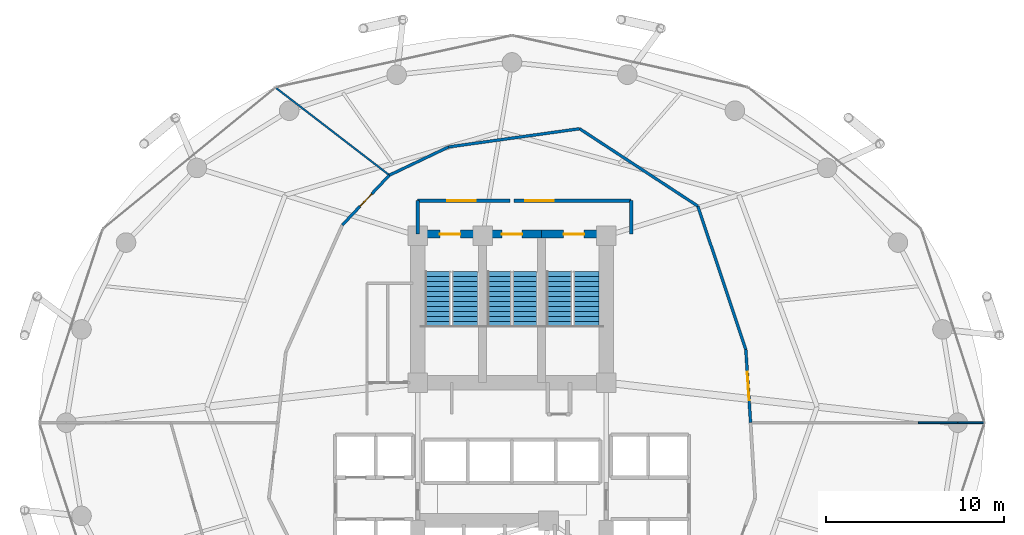
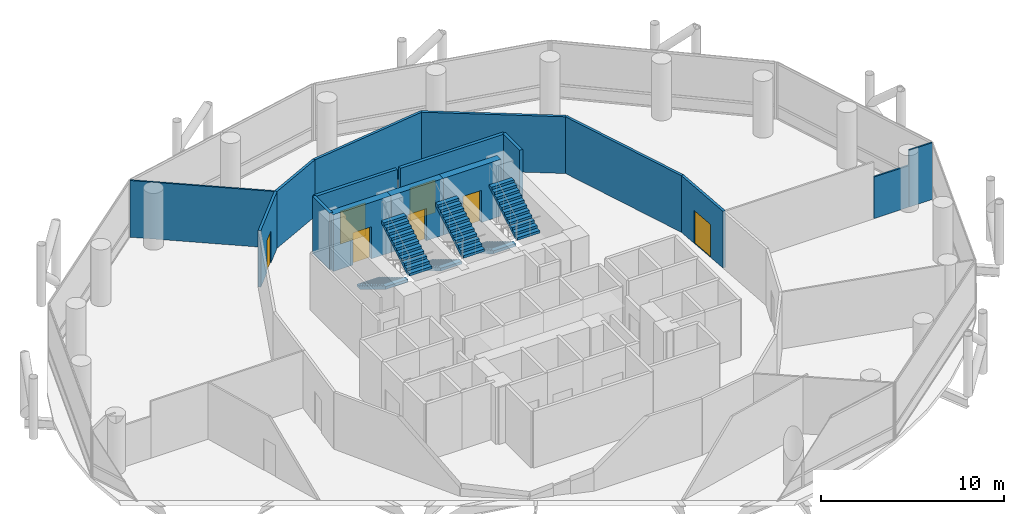
# One storey, part 23 of 24: 16 walls, 7 doors, 6 stair flights, 7 openings, 3 elements without a shape of their own.
"""IFC4 building model written with IfcOpenShell, lengths in metres."""

from ifc_helpers import new_model, si_unit, direction, frame, frame_2d, origin, place, context, subcontext, project, spatial, polyline, rectangle, outline, extrude, material, layer, layer_set, type_object, element, fill, aggregate, save


model = new_model("IFC4")

# Units and contexts
model_context = context("Model", 3, precision=1e-05, world=origin(), true_north=direction((0.0, 1.0)))
body_context = subcontext(model_context, "Body", "Model", "MODEL_VIEW")
ifc_project = project(units=[si_unit("LENGTHUNIT", "METRE"), si_unit("AREAUNIT", "SQUARE_METRE"), si_unit("VOLUMEUNIT", "CUBIC_METRE"), si_unit("PLANEANGLEUNIT", "RADIAN"), si_unit("MASSUNIT", "GRAM", prefix="KILO")], contexts=[model_context])

# Site, building, storey
site_placement = place(None, origin())
site = spatial("IfcSite", under=ifc_project, at=site_placement, CompositionType="ELEMENT")
building_placement = place(site_placement, origin())
building = spatial("IfcBuilding", under=site, at=building_placement, Name="Nuhasar Tower", CompositionType="ELEMENT")
storey_placement = place(building_placement, frame((0.0, 0.0, 33.14990234375)))
storey = spatial("IfcBuildingStorey", under=building, at=storey_placement, Name="L07", CompositionType="ELEMENT", Elevation=33.14990234375)

# Wall, opening, door
ifc_material_1 = material(Name="Concrete C50/60", Category="concrete")
ifc_layer_1 = layer(ifc_material_1, 0.449951171875)
ifc_layer_set_1 = layer_set([ifc_layer_1], Name="Concrete C50/60")
wall_type_1 = type_object("IfcWallType", Name="WL-CORE-450", PredefinedType="SHEAR", material=ifc_layer_set_1)
wall_1_placement = place(storey_placement, frame((37.35009765625, 37.39990234375, 0.0), z_axis=(0.0, 0.0, 1.0), x_axis=(-1.0, 0.0, 0.0)))
wall_1 = element("IfcWall", 1, at=wall_1_placement, inside=storey, type_object=wall_type_1, Name="L07 Stairwell Shear Wall ST01-N", PredefinedType="SHEAR", context=body_context, shape_type="SweptSolid", body=[
    extrude(rectangle(XDim=3.650146484375, YDim=0.449951171875, at=frame_2d((1.8251953125, 0.0))), origin(), (0.0, 0.0, 1.0), 3.7900390625),
])
opening_1_placement = place(wall_1_placement, frame((1.25, 0.0, 0.0)))
opening_1 = element("IfcOpeningElement", 2, at=opening_1_placement, cuts=wall_1, Name="Opening DS-01", PredefinedType="OPENING", context=body_context, shape_type="SweptSolid", body=[
    extrude(rectangle(XDim=1.14990234375, YDim=2.14990234375, at=frame_2d((0.574951171875, 1.074951171875))), frame((0.0, 0.23486328125, 0.0), z_axis=(0.0, -1.0, 0.0), x_axis=(1.0, 0.0, 0.0)), (0.0, 0.0, 1.0), 0.469970703125),
])
ifc_material_2 = material(Name="Steel S355", Category="steel")
door_type_1 = type_object("IfcDoorType", Name="DR-STAIR-FD120-1150", OperationType="NOTDEFINED", PredefinedType="DOOR", material=ifc_material_2)
door_1_placement = place(opening_1_placement, origin())
door_1 = element("IfcDoor", 3, at=door_1_placement, inside=storey, type_object=door_type_1, Name="L07 Exit Stair ST-01 Door", OperationType="SINGLE_SWING_RIGHT", OverallHeight=2.14990234375, OverallWidth=1.14990234375, PredefinedType="DOOR", context=body_context, shape_type="SweptSolid", body=[
    extrude(rectangle(XDim=1.14990234375, YDim=2.14990234375, at=frame_2d((0.574951171875, 1.074951171875))), frame((0.0, 0.02490234375, 0.0), z_axis=(0.0, -1.0, 0.0), x_axis=(1.0, 0.0, 0.0)), (0.0, 0.0, 1.0), 0.050048828125),
])
fill(opening_1, door_1)

wall_2_placement = place(storey_placement, frame((40.64990234375, 37.39990234375, 0.0), z_axis=(0.0, 0.0, 1.0), x_axis=(-1.0, 0.0, 0.0)))
wall_2 = element("IfcWall", 4, at=wall_2_placement, inside=storey, type_object=wall_type_1, Name="L07 Stairwell Shear Wall ST03-N", PredefinedType="SHEAR", context=body_context, shape_type="SweptSolid", body=[
    extrude(rectangle(XDim=3.2998046875, YDim=0.449951171875, at=frame_2d((1.64990234375, 0.0))), origin(), (0.0, 0.0, 1.0), 3.7900390625),
])
opening_2_placement = place(wall_2_placement, frame((1.074951171875, 0.0, 0.0)))
opening_2 = element("IfcOpeningElement", 5, at=opening_2_placement, cuts=wall_2, Name="Opening DS-01", PredefinedType="OPENING", context=body_context, shape_type="SweptSolid", body=[
    extrude(rectangle(XDim=1.14990234375, YDim=2.14990234375, at=frame_2d((0.574951171875, 1.074951171875))), frame((0.0, 0.23486328125, 0.0), z_axis=(0.0, -1.0, 0.0), x_axis=(1.0, 0.0, 0.0)), (0.0, 0.0, 1.0), 0.469970703125),
])
door_2_placement = place(opening_2_placement, origin())
door_2 = element("IfcDoor", 6, at=door_2_placement, inside=storey, type_object=door_type_1, Name="L07 Exit Stair ST-03 Door", OperationType="SINGLE_SWING_RIGHT", OverallHeight=2.14990234375, OverallWidth=1.14990234375, PredefinedType="DOOR", context=body_context, shape_type="SweptSolid", body=[
    extrude(rectangle(XDim=1.14990234375, YDim=2.14990234375, at=frame_2d((0.574951171875, 1.074951171875))), frame((0.0, 0.02490234375, 0.0), z_axis=(0.0, -1.0, 0.0), x_axis=(1.0, 0.0, 0.0)), (0.0, 0.0, 1.0), 0.050048828125),
])
fill(opening_2, door_2)

wall_3_placement = place(storey_placement, frame((44.300048828125, 37.39990234375, 0.0), z_axis=(0.0, 0.0, 1.0), x_axis=(-1.0, 0.0, 0.0)))
wall_3 = element("IfcWall", 7, at=wall_3_placement, inside=storey, type_object=wall_type_1, Name="L07 Stairwell Shear Wall ST02-N", PredefinedType="SHEAR", context=body_context, shape_type="SweptSolid", body=[
    extrude(rectangle(XDim=3.650146484375, YDim=0.449951171875, at=frame_2d((1.8251953125, 0.0))), origin(), (0.0, 0.0, 1.0), 3.7900390625),
])
opening_3_placement = place(wall_3_placement, frame((1.25, 0.0, 0.0)))
opening_3 = element("IfcOpeningElement", 8, at=opening_3_placement, cuts=wall_3, Name="Opening DS-01", PredefinedType="OPENING", context=body_context, shape_type="SweptSolid", body=[
    extrude(rectangle(XDim=1.14990234375, YDim=2.14990234375, at=frame_2d((0.574951171875, 1.074951171875))), frame((0.0, 0.23486328125, 0.0), z_axis=(0.0, -1.0, 0.0), x_axis=(1.0, 0.0, 0.0)), (0.0, 0.0, 1.0), 0.469970703125),
])
door_3_placement = place(opening_3_placement, origin())
door_3 = element("IfcDoor", 9, at=door_3_placement, inside=storey, type_object=door_type_1, Name="L07 Exit Stair ST-02 Door", OperationType="SINGLE_SWING_LEFT", OverallHeight=2.14990234375, OverallWidth=1.14990234375, PredefinedType="DOOR", context=body_context, shape_type="SweptSolid", body=[
    extrude(rectangle(XDim=1.14990234375, YDim=2.14990234375, at=frame_2d((0.574951171875, 1.074951171875))), frame((0.0, 0.02490234375, 0.0), z_axis=(0.0, -1.0, 0.0), x_axis=(1.0, 0.0, 0.0)), (0.0, 0.0, 1.0), 0.050048828125),
])
fill(opening_3, door_3)

ifc_material_3 = material(Name="Gypsum Board", Category="gypsum")
ifc_layer_2 = layer(ifc_material_3, 0.159912109375)
ifc_layer_set_2 = layer_set([ifc_layer_2], Name="Gypsum Board")
wall_type_2 = type_object("IfcWallType", Name="WL-CORR-160", PredefinedType="PARTITIONING", material=ifc_layer_set_2)
wall_4_placement = place(storey_placement, frame((52.14208984375, 30.904052734375, 0.0), z_axis=(0.0, 0.0, 1.0), x_axis=(0.065120257788, -0.997877423347, 0.0)))
wall_4 = element("IfcWall", 10, at=wall_4_placement, inside=storey, type_object=wall_type_2, Name="L07 Interior Partition CORR-00", PredefinedType="PARTITIONING", context=body_context, shape_type="SweptSolid", body=[
    extrude(rectangle(XDim=4.11279296875, YDim=0.159912109375, at=frame_2d((2.056396484375, 0.0))), origin(), (0.0, 0.0, 1.0), 3.7900390625),
])
opening_4_placement = place(wall_4_placement, frame((1.256103515625, 0.0, 0.0)))
opening_4 = element("IfcOpeningElement", 11, at=opening_4_placement, cuts=wall_4, Name="Opening DC-01", PredefinedType="OPENING", context=body_context, shape_type="SweptSolid", body=[
    extrude(rectangle(XDim=1.60009765625, YDim=2.199951171875, at=frame_2d((0.800048828125, 1.10009765625))), frame((0.0, 0.08984375, 0.0), z_axis=(0.0, -1.0, 0.0), x_axis=(1.0, 0.0, 0.0)), (0.0, 0.0, 1.0), 0.179931640625),
])
door_type_2 = type_object("IfcDoorType", Name="DR-CORR-FD60-1600", OperationType="DOUBLE_DOOR_SINGLE_SWING", PredefinedType="DOOR", material=ifc_material_2)
door_4_placement = place(opening_4_placement, origin())
door_4 = element("IfcDoor", 12, at=door_4_placement, inside=storey, type_object=door_type_2, Name="L07 Corporate Headquarters Open-Plan Trading Hall Entry Door", OperationType="DOUBLE_DOOR_SINGLE_SWING", OverallHeight=2.199951171875, OverallWidth=1.60009765625, PredefinedType="DOOR", context=body_context, shape_type="SweptSolid", body=[
    extrude(rectangle(XDim=1.60009765625, YDim=2.199951171875, at=frame_2d((0.800048828125, 1.10009765625))), frame((0.0, 0.02490234375, 0.0), z_axis=(0.0, -1.0, 0.0), x_axis=(1.0, 0.0, 0.0)), (0.0, 0.0, 1.0), 0.050048828125),
])
fill(opening_4, door_4)

# Walls
wall_5_placement = place(storey_placement, frame((52.14208984375, 30.904052734375, 0.0), z_axis=(0.0, 0.0, 1.0), x_axis=(-0.3169334414, 0.948447781231, 0.0)))
element("IfcWall", 13, at=wall_5_placement, inside=storey, type_object=wall_type_2, Name="L07 Interior Partition CORR-02", PredefinedType="PARTITIONING", context=body_context, shape_type="SweptSolid", body=[
    extrude(rectangle(XDim=8.509765625, YDim=0.159912109375, at=frame_2d((4.2548828125, 0.0))), origin(), (0.0, 0.0, 1.0), 3.7900390625),
])
wall_6_placement = place(storey_placement, frame((49.445068359375, 38.97509765625, 0.0), z_axis=(0.0, 0.0, 1.0), x_axis=(-0.836865632057, 0.547408361173, 0.0)))
element("IfcWall", 14, at=wall_6_placement, inside=storey, type_object=wall_type_2, Name="L07 Interior Partition CORR-06", PredefinedType="PARTITIONING", context=body_context, shape_type="SweptSolid", body=[
    extrude(rectangle(XDim=7.942626953125, YDim=0.159912109375, at=frame_2d((3.97119140625, 0.0))), origin(), (0.0, 0.0, 1.0), 3.7900390625),
])
wall_7_placement = place(storey_placement, frame((42.798095703125, 43.322998046875, 0.0), z_axis=(0.0, 0.0, 1.0), x_axis=(-0.990463778548, -0.13777337691, 0.0)))
element("IfcWall", 15, at=wall_7_placement, inside=storey, type_object=wall_type_2, Name="L07 Interior Partition CORR-10", PredefinedType="PARTITIONING", context=body_context, shape_type="SweptSolid", body=[
    extrude(rectangle(XDim=7.431884765625, YDim=0.159912109375, at=frame_2d((3.7158203125, 0.0))), origin(), (0.0, 0.0, 1.0), 3.7900390625),
])
wall_8_placement = place(storey_placement, frame((35.43701171875, 42.299072265625, 0.0), z_axis=(0.0, 0.0, 1.0), x_axis=(-0.902614367428, -0.430450117565, 0.0)))
element("IfcWall", 16, at=wall_8_placement, inside=storey, type_object=wall_type_2, Name="L07 Interior Partition CORR-14", PredefinedType="PARTITIONING", context=body_context, shape_type="SweptSolid", body=[
    extrude(rectangle(XDim=3.687255859375, YDim=0.159912109375, at=frame_2d((1.84375, 0.0))), origin(), (0.0, 0.0, 1.0), 3.7900390625),
])

# Wall, opening, door
wall_9_placement = place(storey_placement, frame((29.466064453125, 37.9130859375, 0.0), z_axis=(0.0, 0.0, 1.0), x_axis=(0.686552760942, 0.727079986276, 0.0)))
wall_9 = element("IfcWall", 17, at=wall_9_placement, inside=storey, type_object=wall_type_2, Name="L07 Interior Partition CORR-16", PredefinedType="PARTITIONING", context=body_context, shape_type="SweptSolid", body=[
    extrude(rectangle(XDim=3.849365234375, YDim=0.159912109375, at=frame_2d((1.9248046875, 0.0))), origin(), (0.0, 0.0, 1.0), 3.7900390625),
])
opening_5_placement = place(wall_9_placement, frame((1.449951171875, 0.0, 0.0)))
opening_5 = element("IfcOpeningElement", 18, at=opening_5_placement, cuts=wall_9, Name="Opening DO-01", PredefinedType="OPENING", context=body_context, shape_type="SweptSolid", body=[
    extrude(rectangle(XDim=0.949951171875, YDim=2.14990234375, at=frame_2d((0.47509765625, 1.074951171875))), frame((0.0, 0.08984375, 0.0), z_axis=(0.0, -1.0, 0.0), x_axis=(1.0, 0.0, 0.0)), (0.0, 0.0, 1.0), 0.179931640625),
])
ifc_material_4 = material(Name="Timber Oak", Category="wood")
door_type_3 = type_object("IfcDoorType", Name="DR-OFFICE-FD30-950", OperationType="NOTDEFINED", PredefinedType="DOOR", material=ifc_material_4)
door_5_placement = place(opening_5_placement, origin())
door_5 = element("IfcDoor", 19, at=door_5_placement, inside=storey, type_object=door_type_3, Name="L07 Townhall Lecture Room Entry Door", OperationType="SINGLE_SWING_RIGHT", OverallHeight=2.14990234375, OverallWidth=0.949951171875, PredefinedType="DOOR", context=body_context, shape_type="SweptSolid", body=[
    extrude(rectangle(XDim=0.949951171875, YDim=2.14990234375, at=frame_2d((0.47509765625, 1.074951171875))), frame((0.0, 0.02490234375, 0.0), z_axis=(0.0, -1.0, 0.0), x_axis=(1.0, 0.0, 0.0)), (0.0, 0.0, 1.0), 0.050048828125),
])
fill(opening_5, door_5)

# Walls
ifc_material_5 = material(Name="Concrete C45/55", Category="concrete")
ifc_layer_3 = layer(ifc_material_5, 0.199951171875)
ifc_layer_set_3 = layer_set([ifc_layer_3], Name="Concrete C45/55")
wall_type_3 = type_object("IfcWallType", Name="WL-LOBBY-200", PredefinedType="SOLIDWALL", material=ifc_layer_set_3)
for number, where, z_axis, x_axis, name in (
    (20, (33.699951171875, 37.39990234375, 0.0), (0.0, 0.0, 1.0), (0.0, 1.0, 0.0), "L07 Interior Partition NSL-W"),
    (21, (45.699951171875, 37.39990234375, 0.0), (0.0, 0.0, 1.0), (0.0, 1.0, 0.0), "L07 Interior Partition NSL-E"),
):
    element("IfcWall", number, at=place(storey_placement, frame(where, z_axis=z_axis, x_axis=x_axis)), inside=storey, type_object=wall_type_3, Name=name, PredefinedType="SOLIDWALL", context=body_context, shape_type="SweptSolid", body=[
        extrude(rectangle(XDim=1.880126953125, YDim=0.199951171875, at=frame_2d((0.93994140625, 0.0))), origin(), (0.0, 0.0, 1.0), 3.7900390625),
    ])

# Wall, opening, door
wall_10_placement = place(storey_placement, frame((38.89990234375, 39.280029296875, 0.0), z_axis=(0.0, 0.0, 1.0), x_axis=(-1.0, 0.0, 0.0)))
wall_10 = element("IfcWall", 22, at=wall_10_placement, inside=storey, type_object=wall_type_3, Name="L07 Interior Partition NSL-N1", PredefinedType="SOLIDWALL", context=body_context, shape_type="SweptSolid", body=[
    extrude(rectangle(XDim=5.199951171875, YDim=0.199951171875, at=frame_2d((2.60009765625, 0.0))), origin(), (0.0, 0.0, 1.0), 3.7900390625),
])
opening_6_placement = place(wall_10_placement, frame((1.949951171875, 0.0, 0.0)))
opening_6 = element("IfcOpeningElement", 23, at=opening_6_placement, cuts=wall_10, Name="Opening DC-01", PredefinedType="OPENING", context=body_context, shape_type="SweptSolid", body=[
    extrude(rectangle(XDim=1.60009765625, YDim=2.199951171875, at=frame_2d((0.800048828125, 1.10009765625))), frame((0.0, 0.10986328125, 0.0), z_axis=(0.0, -1.0, 0.0), x_axis=(1.0, 0.0, 0.0)), (0.0, 0.0, 1.0), 0.219970703125),
])
door_6_placement = place(opening_6_placement, origin())
door_6 = element("IfcDoor", 24, at=door_6_placement, inside=storey, type_object=door_type_2, Name="L07 North Stair Lobby West Door", OperationType="DOUBLE_DOOR_SINGLE_SWING", OverallHeight=2.199951171875, OverallWidth=1.60009765625, PredefinedType="DOOR", context=body_context, shape_type="SweptSolid", body=[
    extrude(rectangle(XDim=1.60009765625, YDim=2.199951171875, at=frame_2d((0.800048828125, 1.10009765625))), frame((0.0, 0.02490234375, 0.0), z_axis=(0.0, -1.0, 0.0), x_axis=(1.0, 0.0, 0.0)), (0.0, 0.0, 1.0), 0.050048828125),
])
fill(opening_6, door_6)

wall_11_placement = place(storey_placement, frame((45.699951171875, 39.280029296875, 0.0), z_axis=(0.0, 0.0, 1.0), x_axis=(-1.0, 0.0, 0.0)))
wall_11 = element("IfcWall", 25, at=wall_11_placement, inside=storey, type_object=wall_type_3, Name="L07 Interior Partition NSL-N2", PredefinedType="SOLIDWALL", context=body_context, shape_type="SweptSolid", body=[
    extrude(rectangle(XDim=6.599853515625, YDim=0.199951171875, at=frame_2d((3.2998046875, 0.0))), origin(), (0.0, 0.0, 1.0), 3.7900390625),
])
opening_7_placement = place(wall_11_placement, frame((4.35009765625, 0.0, 0.0)))
opening_7 = element("IfcOpeningElement", 26, at=opening_7_placement, cuts=wall_11, Name="Opening DC-01", PredefinedType="OPENING", context=body_context, shape_type="SweptSolid", body=[
    extrude(rectangle(XDim=1.60009765625, YDim=2.199951171875, at=frame_2d((0.800048828125, 1.10009765625))), frame((0.0, 0.10986328125, 0.0), z_axis=(0.0, -1.0, 0.0), x_axis=(1.0, 0.0, 0.0)), (0.0, 0.0, 1.0), 0.219970703125),
])
door_7_placement = place(opening_7_placement, origin())
door_7 = element("IfcDoor", 27, at=door_7_placement, inside=storey, type_object=door_type_2, Name="L07 North Stair Lobby East Door", OperationType="DOUBLE_DOOR_SINGLE_SWING", OverallHeight=2.199951171875, OverallWidth=1.60009765625, PredefinedType="DOOR", context=body_context, shape_type="SweptSolid", body=[
    extrude(rectangle(XDim=1.60009765625, YDim=2.199951171875, at=frame_2d((0.800048828125, 1.10009765625))), frame((0.0, 0.02490234375, 0.0), z_axis=(0.0, -1.0, 0.0), x_axis=(1.0, 0.0, 0.0)), (0.0, 0.0, 1.0), 0.050048828125),
])
fill(opening_7, door_7)

# Walls
ifc_material_6 = material(Name="Aluminium 6063-T6", Category="aluminium")
ifc_layer_4 = layer(ifc_material_6, 0.10009765625)
ifc_layer_set_4 = layer_set([ifc_layer_4], Name="Aluminium 6063-T6")
wall_type_4 = type_object("IfcWallType", Name="WL-MOVABLE-100", PredefinedType="MOVABLE", material=ifc_layer_set_4)
wall_12_placement = place(storey_placement, frame((61.840087890625, 26.800048828125, 0.0), z_axis=(0.0, 0.0, 1.0), x_axis=(1.0, 0.0, 0.0)))
element("IfcWall", 28, at=wall_12_placement, inside=storey, type_object=wall_type_4, Name="L07 Interior Partition ORAD-00", PredefinedType="MOVABLE", context=body_context, shape_type="SweptSolid", body=[
    extrude(rectangle(XDim=2.2158203125, YDim=0.10009765625, at=frame_2d((1.10791015625, 0.0))), origin(), (0.0, 0.0, 1.0), 2.780029296875),
])
wall_13_placement = place(storey_placement, frame((64.055908203125, 26.800048828125, 0.0), z_axis=(0.0, 0.0, 1.0), x_axis=(1.0, 0.0, 0.0)))
element("IfcWall", 29, at=wall_13_placement, inside=storey, type_object=wall_type_4, Name="L07 Interior Partition ORAD-00", PredefinedType="MOVABLE", context=body_context, shape_type="SweptSolid", body=[
    extrude(rectangle(XDim=1.468994140625, YDim=0.10009765625, at=frame_2d((0.734375, 0.0))), origin(), (0.0, 0.0, 1.0), 3.7900390625),
])
wall_14_placement = place(storey_placement, frame((32.10888671875, 40.7119140625, 0.0), z_axis=(0.0, 0.0, 1.0), x_axis=(-0.792537044835, 0.609823771728, 0.0)))
element("IfcWall", 30, at=wall_14_placement, inside=storey, type_object=wall_type_4, Name="L07 Interior Partition ORAD-16", PredefinedType="MOVABLE", context=body_context, shape_type="SweptSolid", body=[
    extrude(rectangle(XDim=8.03857421875, YDim=0.10009765625, at=frame_2d((4.019287109375, 0.0))), origin(), (0.0, 0.0, 1.0), 3.7900390625),
])

# Stair, stair flights
stair_type_1 = type_object("IfcStairType", Name="STR-ST-01-2F-24R-1688", PredefinedType="HALF_TURN_STAIR", material=ifc_material_5)
stair_1_placement = place(storey_placement, origin())
stair_1 = element("IfcStair", 31, at=stair_1_placement, inside=storey, type_object=stair_type_1, Name="L07 Exit Stair ST-01", PredefinedType="HALF_TURN_STAIR")
stair_flight_type_1 = type_object("IfcStairFlightType", Name="SFL-ST-01-12R-1688", PredefinedType="STRAIGHT", material=ifc_material_5)
stair_flight_1_placement = place(storey_placement, frame((34.830078125, 35.284912109375, 0.0), z_axis=(0.0, 0.0, 1.0), x_axis=(0.0, -1.0, 0.0)))
stair_flight_1 = element("IfcStairFlight", 32, at=stair_flight_1_placement, type_object=stair_flight_type_1, Name="ST-01 flight 1", NumberOfRisers=12, NumberOfTreads=11, PredefinedType="STRAIGHT", RiserHeight=0.16875, TreadLength=0.28, context=body_context, shape_type="SweptSolid", body=[
    extrude(outline(polyline([(0.0, 0.0), (0.0, 0.168701171875), (0.280029296875, 0.168701171875), (0.280029296875, 0.33740234375), (0.56005859375, 0.33740234375), (0.56005859375, 0.50634765625), (0.840087890625, 0.50634765625), (0.840087890625, 0.675048828125), (1.1201171875, 0.675048828125), (1.1201171875, 0.84375), (1.39990234375, 0.84375), (1.39990234375, 1.012451171875), (1.679931640625, 1.012451171875), (1.679931640625, 1.18115234375), (1.9599609375, 1.18115234375), (1.9599609375, 1.35009765625), (2.239990234375, 1.35009765625), (2.239990234375, 1.518798828125), (2.52001953125, 1.518798828125), (2.52001953125, 1.6875), (2.800048828125, 1.6875), (2.800048828125, 1.856201171875), (3.080078125, 1.856201171875), (3.080078125, 2.02490234375), (3.080078125, 1.66943359375), (0.309814453125, 0.0), (0.0, 0.0)])), frame((0.0, 0.7099609375, 0.0), z_axis=(0.0, -1.0, 0.0), x_axis=(1.0, 0.0, 0.0)), (0.0, 0.0, 1.0), 1.419921875),
])
stair_flight_2_placement = place(storey_placement, frame((36.35009765625, 32.205078125, 2.025146484375), z_axis=(0.0, 0.0, 1.0), x_axis=(0.0, 1.0, 0.0)))
stair_flight_2 = element("IfcStairFlight", 33, at=stair_flight_2_placement, type_object=stair_flight_type_1, Name="ST-01 flight 2", NumberOfRisers=12, NumberOfTreads=11, PredefinedType="STRAIGHT", RiserHeight=0.16875, TreadLength=0.28, context=body_context, shape_type="SweptSolid", body=[
    extrude(outline(polyline([(0.0, 0.0), (0.0, 0.168701171875), (0.280029296875, 0.168701171875), (0.280029296875, 0.33740234375), (0.56005859375, 0.33740234375), (0.56005859375, 0.50634765625), (0.840087890625, 0.50634765625), (0.840087890625, 0.675048828125), (1.1201171875, 0.675048828125), (1.1201171875, 0.84375), (1.39990234375, 0.84375), (1.39990234375, 1.012451171875), (1.679931640625, 1.012451171875), (1.679931640625, 1.18115234375), (1.9599609375, 1.18115234375), (1.9599609375, 1.35009765625), (2.239990234375, 1.35009765625), (2.239990234375, 1.518798828125), (2.52001953125, 1.518798828125), (2.52001953125, 1.6875), (2.800048828125, 1.6875), (2.800048828125, 1.856201171875), (3.080078125, 1.856201171875), (3.080078125, 2.02490234375), (3.080078125, 1.66943359375), (0.309814453125, 0.0), (0.0, 0.0)])), frame((0.0, 0.7099609375, 0.0), z_axis=(0.0, -1.0, 0.0), x_axis=(1.0, 0.0, 0.0)), (0.0, 0.0, 1.0), 1.419921875),
])
aggregate(stair_1, [stair_flight_1, stair_flight_2])

stair_type_2 = type_object("IfcStairType", Name="STR-ST-02-2F-24R-1688", PredefinedType="HALF_TURN_STAIR", material=ifc_material_5)
stair_2_placement = place(storey_placement, origin())
stair_2 = element("IfcStair", 34, at=stair_2_placement, inside=storey, type_object=stair_type_2, Name="L07 Exit Stair ST-02", PredefinedType="HALF_TURN_STAIR")
stair_flight_type_2 = type_object("IfcStairFlightType", Name="SFL-ST-02-12R-1688", PredefinedType="STRAIGHT", material=ifc_material_5)
stair_flight_3_placement = place(storey_placement, frame((41.64990234375, 35.284912109375, 0.0), z_axis=(0.0, 0.0, 1.0), x_axis=(0.0, -1.0, 0.0)))
stair_flight_3 = element("IfcStairFlight", 35, at=stair_flight_3_placement, type_object=stair_flight_type_2, Name="ST-02 flight 1", NumberOfRisers=12, NumberOfTreads=11, PredefinedType="STRAIGHT", RiserHeight=0.16875, TreadLength=0.28, context=body_context, shape_type="SweptSolid", body=[
    extrude(outline(polyline([(0.0, 0.0), (0.0, 0.168701171875), (0.280029296875, 0.168701171875), (0.280029296875, 0.33740234375), (0.56005859375, 0.33740234375), (0.56005859375, 0.50634765625), (0.840087890625, 0.50634765625), (0.840087890625, 0.675048828125), (1.1201171875, 0.675048828125), (1.1201171875, 0.84375), (1.39990234375, 0.84375), (1.39990234375, 1.012451171875), (1.679931640625, 1.012451171875), (1.679931640625, 1.18115234375), (1.9599609375, 1.18115234375), (1.9599609375, 1.35009765625), (2.239990234375, 1.35009765625), (2.239990234375, 1.518798828125), (2.52001953125, 1.518798828125), (2.52001953125, 1.6875), (2.800048828125, 1.6875), (2.800048828125, 1.856201171875), (3.080078125, 1.856201171875), (3.080078125, 2.02490234375), (3.080078125, 1.66943359375), (0.309814453125, 0.0), (0.0, 0.0)])), frame((0.0, 0.7099609375, 0.0), z_axis=(0.0, -1.0, 0.0), x_axis=(1.0, 0.0, 0.0)), (0.0, 0.0, 1.0), 1.419921875),
])
stair_flight_4_placement = place(storey_placement, frame((43.169921875, 32.205078125, 2.025146484375), z_axis=(0.0, 0.0, 1.0), x_axis=(0.0, 1.0, 0.0)))
stair_flight_4 = element("IfcStairFlight", 36, at=stair_flight_4_placement, type_object=stair_flight_type_2, Name="ST-02 flight 2", NumberOfRisers=12, NumberOfTreads=11, PredefinedType="STRAIGHT", RiserHeight=0.16875, TreadLength=0.28, context=body_context, shape_type="SweptSolid", body=[
    extrude(outline(polyline([(0.0, 0.0), (0.0, 0.168701171875), (0.280029296875, 0.168701171875), (0.280029296875, 0.33740234375), (0.56005859375, 0.33740234375), (0.56005859375, 0.50634765625), (0.840087890625, 0.50634765625), (0.840087890625, 0.675048828125), (1.1201171875, 0.675048828125), (1.1201171875, 0.84375), (1.39990234375, 0.84375), (1.39990234375, 1.012451171875), (1.679931640625, 1.012451171875), (1.679931640625, 1.18115234375), (1.9599609375, 1.18115234375), (1.9599609375, 1.35009765625), (2.239990234375, 1.35009765625), (2.239990234375, 1.518798828125), (2.52001953125, 1.518798828125), (2.52001953125, 1.6875), (2.800048828125, 1.6875), (2.800048828125, 1.856201171875), (3.080078125, 1.856201171875), (3.080078125, 2.02490234375), (3.080078125, 1.66943359375), (0.309814453125, 0.0), (0.0, 0.0)])), frame((0.0, 0.7099609375, 0.0), z_axis=(0.0, -1.0, 0.0), x_axis=(1.0, 0.0, 0.0)), (0.0, 0.0, 1.0), 1.419921875),
])
aggregate(stair_2, [stair_flight_3, stair_flight_4])

stair_type_3 = type_object("IfcStairType", Name="STR-ST-03-2F-24R-1688", PredefinedType="HALF_TURN_STAIR", material=ifc_material_5)
stair_3_placement = place(storey_placement, origin())
stair_3 = element("IfcStair", 37, at=stair_3_placement, inside=storey, type_object=stair_type_3, Name="L07 Exit Stair ST-03", PredefinedType="HALF_TURN_STAIR")
stair_flight_type_3 = type_object("IfcStairFlightType", Name="SFL-ST-03-12R-1688", PredefinedType="STRAIGHT", material=ifc_material_5)
stair_flight_5_placement = place(storey_placement, frame((38.280029296875, 35.284912109375, 0.0), z_axis=(0.0, 0.0, 1.0), x_axis=(0.0, -1.0, 0.0)))
stair_flight_5 = element("IfcStairFlight", 38, at=stair_flight_5_placement, type_object=stair_flight_type_3, Name="ST-03 flight 1", NumberOfRisers=12, NumberOfTreads=11, PredefinedType="STRAIGHT", RiserHeight=0.16875, TreadLength=0.28, context=body_context, shape_type="SweptSolid", body=[
    extrude(outline(polyline([(0.0, 0.0), (0.0, 0.168701171875), (0.280029296875, 0.168701171875), (0.280029296875, 0.33740234375), (0.56005859375, 0.33740234375), (0.56005859375, 0.50634765625), (0.840087890625, 0.50634765625), (0.840087890625, 0.675048828125), (1.1201171875, 0.675048828125), (1.1201171875, 0.84375), (1.39990234375, 0.84375), (1.39990234375, 1.012451171875), (1.679931640625, 1.012451171875), (1.679931640625, 1.18115234375), (1.9599609375, 1.18115234375), (1.9599609375, 1.35009765625), (2.239990234375, 1.35009765625), (2.239990234375, 1.518798828125), (2.52001953125, 1.518798828125), (2.52001953125, 1.6875), (2.800048828125, 1.6875), (2.800048828125, 1.856201171875), (3.080078125, 1.856201171875), (3.080078125, 2.02490234375), (3.080078125, 1.66943359375), (0.309814453125, 0.0), (0.0, 0.0)])), frame((0.0, 0.669921875, 0.0), z_axis=(0.0, -1.0, 0.0), x_axis=(1.0, 0.0, 0.0)), (0.0, 0.0, 1.0), 1.340087890625),
])
stair_flight_6_placement = place(storey_placement, frame((39.719970703125, 32.205078125, 2.025146484375), z_axis=(0.0, 0.0, 1.0), x_axis=(0.0, 1.0, 0.0)))
stair_flight_6 = element("IfcStairFlight", 39, at=stair_flight_6_placement, type_object=stair_flight_type_3, Name="ST-03 flight 2", NumberOfRisers=12, NumberOfTreads=11, PredefinedType="STRAIGHT", RiserHeight=0.16875, TreadLength=0.28, context=body_context, shape_type="SweptSolid", body=[
    extrude(outline(polyline([(0.0, 0.0), (0.0, 0.168701171875), (0.280029296875, 0.168701171875), (0.280029296875, 0.33740234375), (0.56005859375, 0.33740234375), (0.56005859375, 0.50634765625), (0.840087890625, 0.50634765625), (0.840087890625, 0.675048828125), (1.1201171875, 0.675048828125), (1.1201171875, 0.84375), (1.39990234375, 0.84375), (1.39990234375, 1.012451171875), (1.679931640625, 1.012451171875), (1.679931640625, 1.18115234375), (1.9599609375, 1.18115234375), (1.9599609375, 1.35009765625), (2.239990234375, 1.35009765625), (2.239990234375, 1.518798828125), (2.52001953125, 1.518798828125), (2.52001953125, 1.6875), (2.800048828125, 1.6875), (2.800048828125, 1.856201171875), (3.080078125, 1.856201171875), (3.080078125, 2.02490234375), (3.080078125, 1.66943359375), (0.309814453125, 0.0), (0.0, 0.0)])), frame((0.0, 0.669921875, 0.0), z_axis=(0.0, -1.0, 0.0), x_axis=(1.0, 0.0, 0.0)), (0.0, 0.0, 1.0), 1.340087890625),
])
aggregate(stair_3, [stair_flight_5, stair_flight_6])

save(model, "model.ifc")
